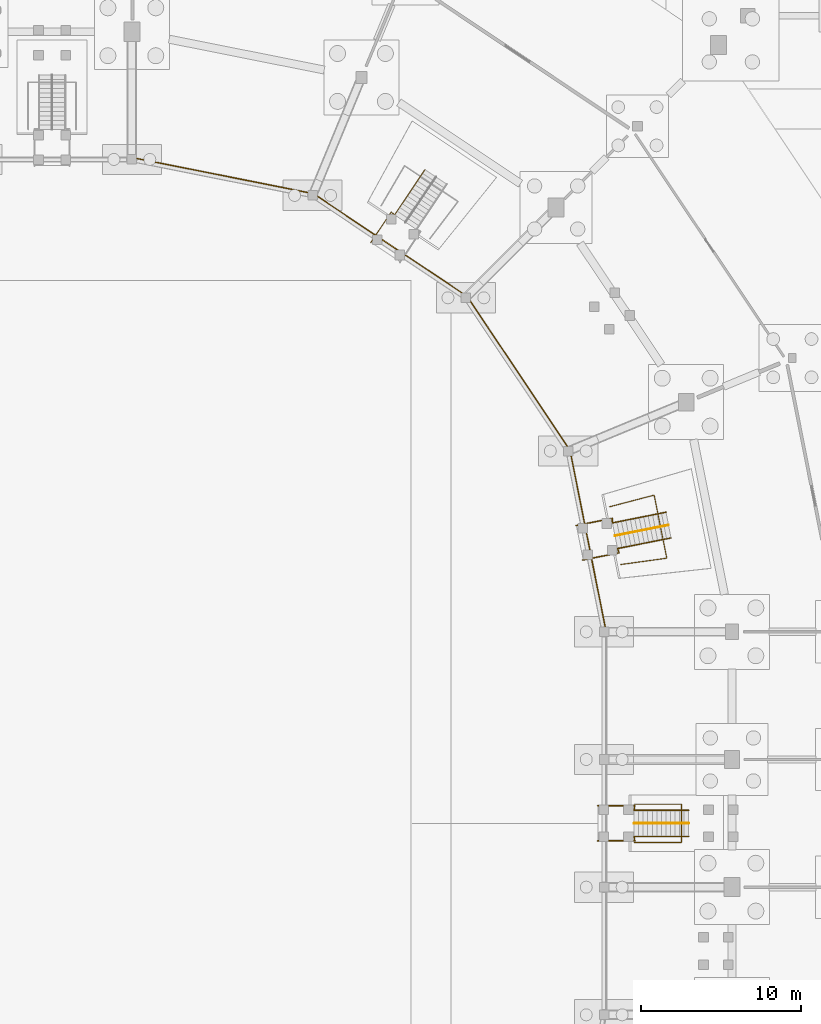
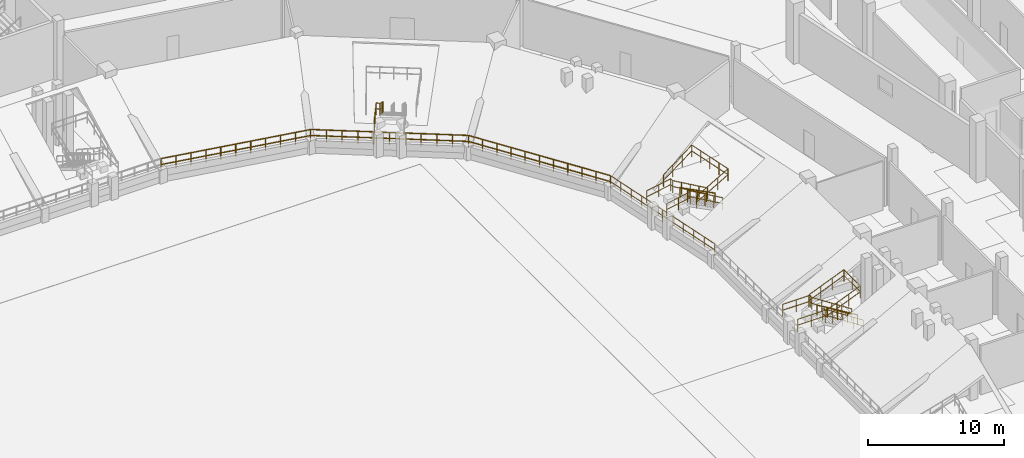
# One storey, part 59 of 68: 13 railings.
"""IFC4 building model written with IfcOpenShell, lengths in metres."""

from ifc_helpers import new_model, si_unit, direction, frame, origin, origin_2d, place, context, subcontext, project, spatial, circle, extrude, material, layer, layer_set, type_object, element, save


model = new_model("IFC4")

# Units and contexts
model_context = context("Model", 3, precision=1e-05, world=origin(), true_north=direction((0.0, 1.0)))
body_context = subcontext(model_context, "Body", "Model", "MODEL_VIEW")
ifc_project = project(units=[si_unit("LENGTHUNIT", "METRE"), si_unit("AREAUNIT", "SQUARE_METRE"), si_unit("VOLUMEUNIT", "CUBIC_METRE"), si_unit("PLANEANGLEUNIT", "RADIAN"), si_unit("MASSUNIT", "GRAM", prefix="KILO")], contexts=[model_context])

# Site, building, storey
site_placement = place(None, origin())
site = spatial("IfcSite", under=ifc_project, at=site_placement, CompositionType="ELEMENT")
building_placement = place(site_placement, origin())
building = spatial("IfcBuilding", under=site, at=building_placement, Name="Candeia Ridge Stadium", CompositionType="ELEMENT")
storey_placement = place(building_placement, origin())
storey = spatial("IfcBuildingStorey", under=building, at=storey_placement, Name="L00", CompositionType="ELEMENT", Elevation=0.0)

# Railings
ifc_material_1 = material(Name="Galvanized Powder-Coated Steel", Category="steel")
ifc_layer_1 = layer(ifc_material_1, 0.074951171875, Name="Galvanized Powder-Coated Steel", Category="steel")
ifc_layer_set_1 = layer_set([ifc_layer_1], Name="Galvanized Powder-Coated Steel")
railing_type_1 = type_object("IfcRailingType", Name="Spectator Bowl Front Guardrail 1120", PredefinedType="GUARDRAIL", material=ifc_layer_set_1)
railing_1_placement = place(storey_placement, frame((170.719970703125, 95.0, 0.85009765625)))
element("IfcRailing", 1, at=railing_1_placement, inside=storey, type_object=railing_type_1, Name="Stand T1 front safety guardrail bay 33", PredefinedType="GUARDRAIL", context=body_context, shape_type="SweptSolid", body=[
    extrude(circle(Radius=0.02392578125, at=origin_2d()), frame((0.0, 0.0, 1.09619140625), z_axis=(-0.19508358537, 0.980786620381, 0.0), x_axis=(-0.980786620381, -0.19508358537, 0.0)), (0.0, 0.0, 1.0), 11.59619140625),
    extrude(circle(Radius=0.02392578125, at=origin_2d()), frame((0.0, 0.0, 0.56005859375), z_axis=(-0.19508358537, 0.980786620381, 0.0), x_axis=(-0.980786620381, -0.19508358537, 0.0)), (0.0, 0.0, 1.0), 11.59619140625),
    extrude(circle(Radius=0.02099609375, at=origin_2d()), origin(), (0.0, 0.0, 1.0), 1.072021484375),
    extrude(circle(Radius=0.02099609375, at=origin_2d()), frame((-0.226318359375, 1.13720703125, 0.0)), (0.0, 0.0, 1.0), 1.072021484375),
    extrude(circle(Radius=0.02099609375, at=origin_2d()), frame((-0.452392578125, 2.274658203125, 0.0)), (0.0, 0.0, 1.0), 1.072021484375),
    extrude(circle(Radius=0.02099609375, at=origin_2d()), frame((-0.6787109375, 3.412109375, 0.0)), (0.0, 0.0, 1.0), 1.072021484375),
    extrude(circle(Radius=0.02099609375, at=origin_2d()), frame((-0.90478515625, 4.54931640625, 0.0)), (0.0, 0.0, 1.0), 1.072021484375),
    extrude(circle(Radius=0.02099609375, at=origin_2d()), frame((-1.131103515625, 5.6865234375, 0.0)), (0.0, 0.0, 1.0), 1.072021484375),
    extrude(circle(Radius=0.02099609375, at=origin_2d()), frame((-1.357421875, 6.823974609375, 0.0)), (0.0, 0.0, 1.0), 1.072021484375),
    extrude(circle(Radius=0.02099609375, at=origin_2d()), frame((-1.58349609375, 7.961181640625, 0.0)), (0.0, 0.0, 1.0), 1.072021484375),
    extrude(circle(Radius=0.02099609375, at=origin_2d()), frame((-1.809814453125, 9.0986328125, 0.0)), (0.0, 0.0, 1.0), 1.072021484375),
    extrude(circle(Radius=0.02099609375, at=origin_2d()), frame((-2.035888671875, 10.23583984375, 0.0)), (0.0, 0.0, 1.0), 1.072021484375),
    extrude(circle(Radius=0.02099609375, at=origin_2d()), frame((-2.26220703125, 11.373291015625, 0.0)), (0.0, 0.0, 1.0), 1.072021484375),
])
railing_2_placement = place(storey_placement, frame((168.457763671875, 106.373291015625, 0.85009765625)))
element("IfcRailing", 2, at=railing_2_placement, inside=storey, type_object=railing_type_1, Name="Stand T1 front safety guardrail bay 34", PredefinedType="GUARDRAIL", context=body_context, shape_type="SweptSolid", body=[
    extrude(circle(Radius=0.02392578125, at=origin_2d()), frame((0.0, 0.0, 1.09619140625), z_axis=(-0.555579272484, 0.831463572254, 0.0), x_axis=(-0.831463572254, -0.555579272484, 0.0)), (0.0, 0.0, 1.0), 11.59619140625),
    extrude(circle(Radius=0.02392578125, at=origin_2d()), frame((0.0, 0.0, 0.56005859375), z_axis=(-0.555579272484, 0.831463572254, 0.0), x_axis=(-0.831463572254, -0.555579272484, 0.0)), (0.0, 0.0, 1.0), 11.59619140625),
    extrude(circle(Radius=0.02099609375, at=origin_2d()), origin(), (0.0, 0.0, 1.0), 1.072021484375),
    extrude(circle(Radius=0.02099609375, at=origin_2d()), frame((-0.644287109375, 0.964111328125, 0.0)), (0.0, 0.0, 1.0), 1.072021484375),
    extrude(circle(Radius=0.02099609375, at=origin_2d()), frame((-1.28857421875, 1.928466796875, 0.0)), (0.0, 0.0, 1.0), 1.072021484375),
    extrude(circle(Radius=0.02099609375, at=origin_2d()), frame((-1.932861328125, 2.892578125, 0.0)), (0.0, 0.0, 1.0), 1.072021484375),
    extrude(circle(Radius=0.02099609375, at=origin_2d()), frame((-2.5771484375, 3.856689453125, 0.0)), (0.0, 0.0, 1.0), 1.072021484375),
    extrude(circle(Radius=0.02099609375, at=origin_2d()), frame((-3.22119140625, 4.82080078125, 0.0)), (0.0, 0.0, 1.0), 1.072021484375),
    extrude(circle(Radius=0.02099609375, at=origin_2d()), frame((-3.865478515625, 5.78515625, 0.0)), (0.0, 0.0, 1.0), 1.072021484375),
    extrude(circle(Radius=0.02099609375, at=origin_2d()), frame((-4.509765625, 6.749267578125, 0.0)), (0.0, 0.0, 1.0), 1.072021484375),
    extrude(circle(Radius=0.02099609375, at=origin_2d()), frame((-5.154052734375, 7.71337890625, 0.0)), (0.0, 0.0, 1.0), 1.072021484375),
    extrude(circle(Radius=0.02099609375, at=origin_2d()), frame((-5.79833984375, 8.677734375, 0.0)), (0.0, 0.0, 1.0), 1.072021484375),
    extrude(circle(Radius=0.02099609375, at=origin_2d()), frame((-6.442626953125, 9.641845703125, 0.0)), (0.0, 0.0, 1.0), 1.072021484375),
])
railing_3_placement = place(storey_placement, frame((162.01513671875, 116.01513671875, 0.85009765625)))
element("IfcRailing", 3, at=railing_3_placement, inside=storey, type_object=railing_type_1, Name="Stand T1 front safety guardrail bay 35", PredefinedType="GUARDRAIL", context=body_context, shape_type="SweptSolid", body=[
    extrude(circle(Radius=0.02392578125, at=origin_2d()), frame((0.0, 0.0, 1.09619140625), z_axis=(-0.831463572254, 0.555579272484, 0.0), x_axis=(-0.555579272484, -0.831463572254, 0.0)), (0.0, 0.0, 1.0), 11.59619140625),
    extrude(circle(Radius=0.02392578125, at=origin_2d()), frame((0.0, 0.0, 0.56005859375), z_axis=(-0.831463572254, 0.555579272484, 0.0), x_axis=(-0.555579272484, -0.831463572254, 0.0)), (0.0, 0.0, 1.0), 11.59619140625),
    extrude(circle(Radius=0.02099609375, at=origin_2d()), origin(), (0.0, 0.0, 1.0), 1.072021484375),
    extrude(circle(Radius=0.02099609375, at=origin_2d()), frame((-0.964111328125, 0.644287109375, 0.0)), (0.0, 0.0, 1.0), 1.072021484375),
    extrude(circle(Radius=0.02099609375, at=origin_2d()), frame((-1.928466796875, 1.28857421875, 0.0)), (0.0, 0.0, 1.0), 1.072021484375),
    extrude(circle(Radius=0.02099609375, at=origin_2d()), frame((-2.892578125, 1.932861328125, 0.0)), (0.0, 0.0, 1.0), 1.072021484375),
    extrude(circle(Radius=0.02099609375, at=origin_2d()), frame((-3.856689453125, 2.5771484375, 0.0)), (0.0, 0.0, 1.0), 1.072021484375),
    extrude(circle(Radius=0.02099609375, at=origin_2d()), frame((-4.82080078125, 3.22119140625, 0.0)), (0.0, 0.0, 1.0), 1.072021484375),
    extrude(circle(Radius=0.02099609375, at=origin_2d()), frame((-5.78515625, 3.865478515625, 0.0)), (0.0, 0.0, 1.0), 1.072021484375),
    extrude(circle(Radius=0.02099609375, at=origin_2d()), frame((-6.749267578125, 4.509765625, 0.0)), (0.0, 0.0, 1.0), 1.072021484375),
    extrude(circle(Radius=0.02099609375, at=origin_2d()), frame((-7.71337890625, 5.154052734375, 0.0)), (0.0, 0.0, 1.0), 1.072021484375),
    extrude(circle(Radius=0.02099609375, at=origin_2d()), frame((-8.677734375, 5.79833984375, 0.0)), (0.0, 0.0, 1.0), 1.072021484375),
    extrude(circle(Radius=0.02099609375, at=origin_2d()), frame((-9.641845703125, 6.442626953125, 0.0)), (0.0, 0.0, 1.0), 1.072021484375),
])
railing_4_placement = place(storey_placement, frame((152.373291015625, 122.457763671875, 0.85009765625)))
element("IfcRailing", 4, at=railing_4_placement, inside=storey, type_object=railing_type_1, Name="Stand T1 front safety guardrail bay 36", PredefinedType="GUARDRAIL", context=body_context, shape_type="SweptSolid", body=[
    extrude(circle(Radius=0.02392578125, at=origin_2d()), frame((0.0, 0.0, 1.09619140625), z_axis=(-0.980786620381, 0.19508358537, 0.0), x_axis=(-0.19508358537, -0.980786620381, 0.0)), (0.0, 0.0, 1.0), 11.59619140625),
    extrude(circle(Radius=0.02392578125, at=origin_2d()), frame((0.0, 0.0, 0.56005859375), z_axis=(-0.980786620381, 0.19508358537, 0.0), x_axis=(-0.19508358537, -0.980786620381, 0.0)), (0.0, 0.0, 1.0), 11.59619140625),
    extrude(circle(Radius=0.02099609375, at=origin_2d()), origin(), (0.0, 0.0, 1.0), 1.072021484375),
    extrude(circle(Radius=0.02099609375, at=origin_2d()), frame((-1.13720703125, 0.226318359375, 0.0)), (0.0, 0.0, 1.0), 1.072021484375),
    extrude(circle(Radius=0.02099609375, at=origin_2d()), frame((-2.274658203125, 0.452392578125, 0.0)), (0.0, 0.0, 1.0), 1.072021484375),
    extrude(circle(Radius=0.02099609375, at=origin_2d()), frame((-3.412109375, 0.6787109375, 0.0)), (0.0, 0.0, 1.0), 1.072021484375),
    extrude(circle(Radius=0.02099609375, at=origin_2d()), frame((-4.54931640625, 0.90478515625, 0.0)), (0.0, 0.0, 1.0), 1.072021484375),
    extrude(circle(Radius=0.02099609375, at=origin_2d()), frame((-5.6865234375, 1.131103515625, 0.0)), (0.0, 0.0, 1.0), 1.072021484375),
    extrude(circle(Radius=0.02099609375, at=origin_2d()), frame((-6.823974609375, 1.357421875, 0.0)), (0.0, 0.0, 1.0), 1.072021484375),
    extrude(circle(Radius=0.02099609375, at=origin_2d()), frame((-7.961181640625, 1.58349609375, 0.0)), (0.0, 0.0, 1.0), 1.072021484375),
    extrude(circle(Radius=0.02099609375, at=origin_2d()), frame((-9.0986328125, 1.809814453125, 0.0)), (0.0, 0.0, 1.0), 1.072021484375),
    extrude(circle(Radius=0.02099609375, at=origin_2d()), frame((-10.23583984375, 2.035888671875, 0.0)), (0.0, 0.0, 1.0), 1.072021484375),
    extrude(circle(Radius=0.02099609375, at=origin_2d()), frame((-11.373291015625, 2.26220703125, 0.0)), (0.0, 0.0, 1.0), 1.072021484375),
])
ifc_material_2 = material(Name="Brushed Stainless Steel", Category="steel")
ifc_layer_2 = layer(ifc_material_2, 0.048095703125, Name="Brushed Stainless Steel", Category="steel")
ifc_layer_set_2 = layer_set([ifc_layer_2], Name="Brushed Stainless Steel")
railing_type_2 = type_object("IfcRailingType", Name="Stair Wall & Flight Handrail 900", PredefinedType="HANDRAIL", material=ifc_layer_set_2)
railing_5_placement = place(storey_placement, frame((175.89208984375, 83.0, 0.17236328125)))
element("IfcRailing", 5, at=railing_5_placement, inside=storey, type_object=railing_type_2, Name="Vomitory stair handrail VS16", PredefinedType="HANDRAIL", context=body_context, shape_type="SweptSolid", body=[
    extrude(circle(Radius=0.02392578125, at=origin_2d()), frame((0.0, 0.0, 0.8759765625), z_axis=(-0.855774125036, 0.0, 0.517349637014), x_axis=(0.0, -1.0, 0.0)), (0.0, 0.0, 1.0), 3.99658203125),
    extrude(circle(Radius=0.02099609375, at=origin_2d()), origin(), (0.0, 0.0, 1.0), 0.851806640625),
    extrude(circle(Radius=0.02099609375, at=origin_2d()), frame((-0.85498046875, 0.0, 0.516845703125)), (0.0, 0.0, 1.0), 0.851806640625),
    extrude(circle(Radius=0.02099609375, at=origin_2d()), frame((-1.7099609375, 0.0, 1.03369140625)), (0.0, 0.0, 1.0), 0.851806640625),
    extrude(circle(Radius=0.02099609375, at=origin_2d()), frame((-2.565185546875, 0.0, 1.55078125)), (0.0, 0.0, 1.0), 0.851806640625),
    extrude(circle(Radius=0.02099609375, at=origin_2d()), frame((-3.420166015625, 0.0, 2.067626953125)), (0.0, 0.0, 1.0), 0.851806640625),
])
railing_6_placement = place(storey_placement, frame((174.62841796875, 101.689208984375, 0.17236328125)))
element("IfcRailing", 6, at=railing_6_placement, inside=storey, type_object=railing_type_2, Name="Vomitory stair handrail VS17", PredefinedType="HANDRAIL", context=body_context, shape_type="SweptSolid", body=[
    extrude(circle(Radius=0.02392578125, at=origin_2d()), frame((0.0, 0.0, 0.8759765625), z_axis=(-0.839316016978, -0.166959070849, 0.517371522511), x_axis=(0.195100140729, -0.980783327289, 0.0)), (0.0, 0.0, 1.0), 3.996337890625),
    extrude(circle(Radius=0.02099609375, at=origin_2d()), origin(), (0.0, 0.0, 1.0), 0.851806640625),
    extrude(circle(Radius=0.02099609375, at=origin_2d()), frame((-0.838623046875, -0.166748046875, 0.516845703125)), (0.0, 0.0, 1.0), 0.851806640625),
    extrude(circle(Radius=0.02099609375, at=origin_2d()), frame((-1.67724609375, -0.33349609375, 1.03369140625)), (0.0, 0.0, 1.0), 0.851806640625),
    extrude(circle(Radius=0.02099609375, at=origin_2d()), frame((-2.515625, -0.50048828125, 1.55078125)), (0.0, 0.0, 1.0), 0.851806640625),
    extrude(circle(Radius=0.02099609375, at=origin_2d()), frame((-3.354248046875, -0.667236328125, 2.067626953125)), (0.0, 0.0, 1.0), 0.851806640625),
])
ifc_layer_3 = layer(ifc_material_1, 0.070068359375, Name="Galvanized Powder-Coated Steel", Category="steel")
ifc_layer_set_3 = layer_set([ifc_layer_3], Name="Galvanized Powder-Coated Steel")
railing_type_3 = type_object("IfcRailingType", Name="Vomitory Portal Guardrail 1100", PredefinedType="GUARDRAIL", material=ifc_layer_set_3)
railing_7_placement = place(storey_placement, frame((172.471923828125, 81.800048828125, 2.239990234375)))
element("IfcRailing", 7, at=railing_7_placement, inside=storey, type_object=railing_type_3, Name="Vomitory portal guardrail VS16", PredefinedType="GUARDRAIL", context=body_context, shape_type="SweptSolid", body=[
    extrude(circle(Radius=0.02392578125, at=origin_2d()), frame((0.0, 0.0, 1.076171875), z_axis=(0.92538053309, 0.0, 0.379039402937), x_axis=(0.0, 1.0, 0.0)), (0.0, 0.0, 1.0), 3.203125),
    extrude(circle(Radius=0.02392578125, at=origin_2d()), frame((0.0, 0.0, 0.550048828125), z_axis=(0.92538053309, 0.0, 0.379039402937), x_axis=(0.0, 1.0, 0.0)), (0.0, 0.0, 1.0), 3.203125),
    extrude(circle(Radius=0.02392578125, at=origin_2d()), frame((2.964111328125, 0.0, 2.2900390625), z_axis=(0.0, 1.0, 0.0), x_axis=(-1.0, 0.0, 0.0)), (0.0, 0.0, 1.0), 2.39990234375),
    extrude(circle(Radius=0.02392578125, at=origin_2d()), frame((2.964111328125, 0.0, 1.76416015625), z_axis=(0.0, 1.0, 0.0), x_axis=(-1.0, 0.0, 0.0)), (0.0, 0.0, 1.0), 2.39990234375),
    extrude(circle(Radius=0.02392578125, at=origin_2d()), frame((2.964111328125, 2.39990234375, 2.2900390625), z_axis=(-0.92538053309, 0.0, -0.379039402937), x_axis=(0.0, -1.0, 0.0)), (0.0, 0.0, 1.0), 3.203125),
    extrude(circle(Radius=0.02392578125, at=origin_2d()), frame((2.964111328125, 2.39990234375, 1.76416015625), z_axis=(-0.92538053309, 0.0, -0.379039402937), x_axis=(0.0, -1.0, 0.0)), (0.0, 0.0, 1.0), 3.203125),
    extrude(circle(Radius=0.02099609375, at=origin_2d()), origin(), (0.0, 0.0, 1.0), 1.052001953125),
    extrude(circle(Radius=0.02099609375, at=origin_2d()), frame((0.988037109375, 0.0, 0.40478515625)), (0.0, 0.0, 1.0), 1.052001953125),
    extrude(circle(Radius=0.02099609375, at=origin_2d()), frame((1.97607421875, 0.0, 0.809326171875)), (0.0, 0.0, 1.0), 1.052001953125),
    extrude(circle(Radius=0.02099609375, at=origin_2d()), frame((2.964111328125, 0.0, 1.214111328125)), (0.0, 0.0, 1.0), 1.052001953125),
    extrude(circle(Radius=0.02099609375, at=origin_2d()), frame((2.964111328125, 1.199951171875, 1.214111328125)), (0.0, 0.0, 1.0), 1.052001953125),
    extrude(circle(Radius=0.02099609375, at=origin_2d()), frame((2.964111328125, 2.39990234375, 1.214111328125)), (0.0, 0.0, 1.0), 1.052001953125),
    extrude(circle(Radius=0.02099609375, at=origin_2d()), frame((1.97607421875, 2.39990234375, 0.809326171875)), (0.0, 0.0, 1.0), 1.052001953125),
    extrude(circle(Radius=0.02099609375, at=origin_2d()), frame((0.988037109375, 2.39990234375, 0.40478515625)), (0.0, 0.0, 1.0), 1.052001953125),
    extrude(circle(Radius=0.02099609375, at=origin_2d()), frame((0.0, 2.39990234375, 0.0)), (0.0, 0.0, 1.0), 1.052001953125),
])
railing_8_placement = place(storey_placement, frame((175.89208984375, 82.179931640625, 0.0)))
element("IfcRailing", 8, at=railing_8_placement, inside=storey, type_object=railing_type_3, Name="Vomitory stair & landing side guardrail VS16-L", PredefinedType="GUARDRAIL", context=body_context, shape_type="SweptSolid", body=[
    extrude(circle(Radius=0.02392578125, at=origin_2d()), frame((0.0, 0.0, 1.076171875), z_axis=(-0.836551734384, 0.0, 0.547887940822), x_axis=(0.0, -1.0, 0.0)), (0.0, 0.0, 1.0), 4.08837890625),
    extrude(circle(Radius=0.02392578125, at=origin_2d()), frame((0.0, 0.0, 0.550048828125), z_axis=(-0.836551734384, 0.0, 0.547887940822), x_axis=(0.0, -1.0, 0.0)), (0.0, 0.0, 1.0), 4.08837890625),
    extrude(circle(Radius=0.02392578125, at=origin_2d()), frame((-3.420166015625, 0.0, 3.31591796875), z_axis=(0.141542183877, -0.989932225045, 0.0), x_axis=(0.989932225045, 0.141542183877, 0.0)), (0.0, 0.0, 1.0), 0.282958984375),
    extrude(circle(Radius=0.02392578125, at=origin_2d()), frame((-3.420166015625, 0.0, 2.7900390625), z_axis=(0.141542183877, -0.989932225045, 0.0), x_axis=(0.989932225045, 0.141542183877, 0.0)), (0.0, 0.0, 1.0), 0.282958984375),
    extrude(circle(Radius=0.02392578125, at=origin_2d()), frame((-3.380126953125, -0.280029296875, 3.31591796875), z_axis=(-1.0, 0.0, 0.0), x_axis=(0.0, -1.0, 0.0)), (0.0, 0.0, 1.0), 2.320068359375),
    extrude(circle(Radius=0.02392578125, at=origin_2d()), frame((-3.380126953125, -0.280029296875, 2.7900390625), z_axis=(-1.0, 0.0, 0.0), x_axis=(0.0, -1.0, 0.0)), (0.0, 0.0, 1.0), 2.320068359375),
    extrude(circle(Radius=0.02099609375, at=origin_2d()), origin(), (0.0, 0.0, 1.0), 1.052001953125),
    extrude(circle(Radius=0.02099609375, at=origin_2d()), frame((-0.85498046875, 0.0, 0.56005859375)), (0.0, 0.0, 1.0), 1.052001953125),
    extrude(circle(Radius=0.02099609375, at=origin_2d()), frame((-1.7099609375, 0.0, 1.1201171875)), (0.0, 0.0, 1.0), 1.052001953125),
    extrude(circle(Radius=0.02099609375, at=origin_2d()), frame((-2.565185546875, 0.0, 1.679931640625)), (0.0, 0.0, 1.0), 1.052001953125),
    extrude(circle(Radius=0.02099609375, at=origin_2d()), frame((-3.420166015625, 0.0, 2.239990234375)), (0.0, 0.0, 1.0), 1.052001953125),
    extrude(circle(Radius=0.02099609375, at=origin_2d()), frame((-3.380126953125, -0.280029296875, 2.239990234375)), (0.0, 0.0, 1.0), 1.052001953125),
    extrude(circle(Radius=0.02099609375, at=origin_2d()), frame((-4.5400390625, -0.280029296875, 2.239990234375)), (0.0, 0.0, 1.0), 1.052001953125),
    extrude(circle(Radius=0.02099609375, at=origin_2d()), frame((-5.7001953125, -0.280029296875, 2.239990234375)), (0.0, 0.0, 1.0), 1.052001953125),
])
railing_9_placement = place(storey_placement, frame((175.89208984375, 83.820068359375, 0.0)))
element("IfcRailing", 9, at=railing_9_placement, inside=storey, type_object=railing_type_3, Name="Vomitory stair & landing side guardrail VS16-R", PredefinedType="GUARDRAIL", context=body_context, shape_type="SweptSolid", body=[
    extrude(circle(Radius=0.02392578125, at=origin_2d()), frame((0.0, 0.0, 1.076171875), z_axis=(-0.836551734384, 0.0, 0.547887940822), x_axis=(0.0, -1.0, 0.0)), (0.0, 0.0, 1.0), 4.08837890625),
    extrude(circle(Radius=0.02392578125, at=origin_2d()), frame((0.0, 0.0, 0.550048828125), z_axis=(-0.836551734384, 0.0, 0.547887940822), x_axis=(0.0, -1.0, 0.0)), (0.0, 0.0, 1.0), 4.08837890625),
    extrude(circle(Radius=0.02392578125, at=origin_2d()), frame((-3.420166015625, 0.0, 3.31591796875), z_axis=(0.141542183877, 0.989932225045, 0.0), x_axis=(-0.989932225045, 0.141542183877, 0.0)), (0.0, 0.0, 1.0), 0.282958984375),
    extrude(circle(Radius=0.02392578125, at=origin_2d()), frame((-3.420166015625, 0.0, 2.7900390625), z_axis=(0.141542183877, 0.989932225045, 0.0), x_axis=(-0.989932225045, 0.141542183877, 0.0)), (0.0, 0.0, 1.0), 0.282958984375),
    extrude(circle(Radius=0.02392578125, at=origin_2d()), frame((-3.380126953125, 0.280029296875, 3.31591796875), z_axis=(-1.0, 0.0, 0.0), x_axis=(0.0, -1.0, 0.0)), (0.0, 0.0, 1.0), 2.320068359375),
    extrude(circle(Radius=0.02392578125, at=origin_2d()), frame((-3.380126953125, 0.280029296875, 2.7900390625), z_axis=(-1.0, 0.0, 0.0), x_axis=(0.0, -1.0, 0.0)), (0.0, 0.0, 1.0), 2.320068359375),
    extrude(circle(Radius=0.02099609375, at=origin_2d()), origin(), (0.0, 0.0, 1.0), 1.052001953125),
    extrude(circle(Radius=0.02099609375, at=origin_2d()), frame((-0.85498046875, 0.0, 0.56005859375)), (0.0, 0.0, 1.0), 1.052001953125),
    extrude(circle(Radius=0.02099609375, at=origin_2d()), frame((-1.7099609375, 0.0, 1.1201171875)), (0.0, 0.0, 1.0), 1.052001953125),
    extrude(circle(Radius=0.02099609375, at=origin_2d()), frame((-2.565185546875, 0.0, 1.679931640625)), (0.0, 0.0, 1.0), 1.052001953125),
    extrude(circle(Radius=0.02099609375, at=origin_2d()), frame((-3.420166015625, 0.0, 2.239990234375)), (0.0, 0.0, 1.0), 1.052001953125),
    extrude(circle(Radius=0.02099609375, at=origin_2d()), frame((-3.380126953125, 0.280029296875, 2.239990234375)), (0.0, 0.0, 1.0), 1.052001953125),
    extrude(circle(Radius=0.02099609375, at=origin_2d()), frame((-4.5400390625, 0.280029296875, 2.239990234375)), (0.0, 0.0, 1.0), 1.052001953125),
    extrude(circle(Radius=0.02099609375, at=origin_2d()), frame((-5.7001953125, 0.280029296875, 2.239990234375)), (0.0, 0.0, 1.0), 1.052001953125),
])
railing_10_placement = place(storey_placement, frame((171.633544921875, 99.21533203125, 2.239990234375)))
element("IfcRailing", 10, at=railing_10_placement, inside=storey, type_object=railing_type_3, Name="Vomitory portal guardrail VS17", PredefinedType="GUARDRAIL", context=body_context, shape_type="SweptSolid", body=[
    extrude(circle(Radius=0.02392578125, at=origin_2d()), frame((0.0, 0.0, 1.076171875), z_axis=(0.914382854834, 0.125817595156, 0.384803751975), x_axis=(-0.136313988444, 0.990665683545, 0.0)), (0.0, 0.0, 1.0), 3.155029296875),
    extrude(circle(Radius=0.02392578125, at=origin_2d()), frame((0.0, 0.0, 0.550048828125), z_axis=(0.914382854834, 0.125817595156, 0.384803751975), x_axis=(-0.136313988444, 0.990665683545, 0.0)), (0.0, 0.0, 1.0), 3.155029296875),
    extrude(circle(Radius=0.02392578125, at=origin_2d()), frame((2.885009765625, 0.39697265625, 2.2900390625), z_axis=(-0.195079434576, 0.980787445987, 0.0), x_axis=(-0.980787445987, -0.195079434576, 0.0)), (0.0, 0.0, 1.0), 4.031005859375),
    extrude(circle(Radius=0.02392578125, at=origin_2d()), frame((2.885009765625, 0.39697265625, 1.76416015625), z_axis=(-0.195079434576, 0.980787445987, 0.0), x_axis=(-0.980787445987, -0.195079434576, 0.0)), (0.0, 0.0, 1.0), 4.031005859375),
    extrude(circle(Radius=0.02392578125, at=origin_2d()), frame((2.0986328125, 4.3505859375, 2.2900390625), z_axis=(-0.892931247638, -0.23367871472, -0.384796108709), x_axis=(0.253172599664, -0.96742112587, 0.0)), (0.0, 0.0, 1.0), 3.1552734375),
    extrude(circle(Radius=0.02392578125, at=origin_2d()), frame((2.0986328125, 4.3505859375, 1.76416015625), z_axis=(-0.892931247638, -0.23367871472, -0.384796108709), x_axis=(0.253172599664, -0.96742112587, 0.0)), (0.0, 0.0, 1.0), 3.1552734375),
    extrude(circle(Radius=0.02099609375, at=origin_2d()), origin(), (0.0, 0.0, 1.0), 1.052001953125),
    extrude(circle(Radius=0.02099609375, at=origin_2d()), frame((0.961669921875, 0.13232421875, 0.40478515625)), (0.0, 0.0, 1.0), 1.052001953125),
    extrude(circle(Radius=0.02099609375, at=origin_2d()), frame((1.92333984375, 0.2646484375, 0.809326171875)), (0.0, 0.0, 1.0), 1.052001953125),
    extrude(circle(Radius=0.02099609375, at=origin_2d()), frame((2.885009765625, 0.39697265625, 1.214111328125)), (0.0, 0.0, 1.0), 1.052001953125),
    extrude(circle(Radius=0.02099609375, at=origin_2d()), frame((2.6884765625, 1.38525390625, 1.214111328125)), (0.0, 0.0, 1.0), 1.052001953125),
    extrude(circle(Radius=0.02099609375, at=origin_2d()), frame((2.49169921875, 2.373779296875, 1.214111328125)), (0.0, 0.0, 1.0), 1.052001953125),
    extrude(circle(Radius=0.02099609375, at=origin_2d()), frame((2.295166015625, 3.3623046875, 1.214111328125)), (0.0, 0.0, 1.0), 1.052001953125),
    extrude(circle(Radius=0.02099609375, at=origin_2d()), frame((2.0986328125, 4.3505859375, 1.214111328125)), (0.0, 0.0, 1.0), 1.052001953125),
    extrude(circle(Radius=0.02099609375, at=origin_2d()), frame((1.159423828125, 4.104736328125, 0.809326171875)), (0.0, 0.0, 1.0), 1.052001953125),
    extrude(circle(Radius=0.02099609375, at=origin_2d()), frame((0.220458984375, 3.859130859375, 0.40478515625)), (0.0, 0.0, 1.0), 1.052001953125),
    extrude(circle(Radius=0.02099609375, at=origin_2d()), frame((-0.71875, 3.61328125, 0.0)), (0.0, 0.0, 1.0), 1.052001953125),
])
railing_11_placement = place(storey_placement, frame((174.788330078125, 100.885009765625, 0.0)))
element("IfcRailing", 11, at=railing_11_placement, inside=storey, type_object=railing_type_3, Name="Vomitory stair & landing side guardrail VS17-L", PredefinedType="GUARDRAIL", context=body_context, shape_type="SweptSolid", body=[
    extrude(circle(Radius=0.02392578125, at=origin_2d()), frame((0.0, 0.0, 1.076171875), z_axis=(-0.820461766456, -0.163208531023, 0.547910088597), x_axis=(0.195100140729, -0.980783327289, 0.0)), (0.0, 0.0, 1.0), 4.088134765625),
    extrude(circle(Radius=0.02392578125, at=origin_2d()), frame((0.0, 0.0, 0.550048828125), z_axis=(-0.820461766456, -0.163208531023, 0.547910088597), x_axis=(0.195100140729, -0.980783327289, 0.0)), (0.0, 0.0, 1.0), 4.088134765625),
    extrude(circle(Radius=0.02392578125, at=origin_2d()), frame((-3.354248046875, -0.667236328125, 3.31591796875), z_axis=(0.331963044739, -0.943292392065, 0.0), x_axis=(0.943292392065, 0.331963044739, 0.0)), (0.0, 0.0, 1.0), 0.283203125),
    extrude(circle(Radius=0.02392578125, at=origin_2d()), frame((-3.354248046875, -0.667236328125, 2.7900390625), z_axis=(0.331963044739, -0.943292392065, 0.0), x_axis=(0.943292392065, 0.331963044739, 0.0)), (0.0, 0.0, 1.0), 0.283203125),
    extrude(circle(Radius=0.02392578125, at=origin_2d()), frame((-3.26025390625, -0.934326171875, 3.31591796875), z_axis=(-0.980802659281, -0.195002932151, 0.0), x_axis=(0.195002932151, -0.980802659281, 0.0)), (0.0, 0.0, 1.0), 2.31982421875),
    extrude(circle(Radius=0.02392578125, at=origin_2d()), frame((-3.26025390625, -0.934326171875, 2.7900390625), z_axis=(-0.980802659281, -0.195002932151, 0.0), x_axis=(0.195002932151, -0.980802659281, 0.0)), (0.0, 0.0, 1.0), 2.31982421875),
    extrude(circle(Radius=0.02099609375, at=origin_2d()), origin(), (0.0, 0.0, 1.0), 1.052001953125),
    extrude(circle(Radius=0.02099609375, at=origin_2d()), frame((-0.838623046875, -0.166748046875, 0.56005859375)), (0.0, 0.0, 1.0), 1.052001953125),
    extrude(circle(Radius=0.02099609375, at=origin_2d()), frame((-1.67724609375, -0.33349609375, 1.1201171875)), (0.0, 0.0, 1.0), 1.052001953125),
    extrude(circle(Radius=0.02099609375, at=origin_2d()), frame((-2.515625, -0.50048828125, 1.679931640625)), (0.0, 0.0, 1.0), 1.052001953125),
    extrude(circle(Radius=0.02099609375, at=origin_2d()), frame((-3.354248046875, -0.667236328125, 2.239990234375)), (0.0, 0.0, 1.0), 1.052001953125),
    extrude(circle(Radius=0.02099609375, at=origin_2d()), frame((-3.26025390625, -0.934326171875, 2.239990234375)), (0.0, 0.0, 1.0), 1.052001953125),
    extrude(circle(Radius=0.02099609375, at=origin_2d()), frame((-4.39794921875, -1.16064453125, 2.239990234375)), (0.0, 0.0, 1.0), 1.052001953125),
    extrude(circle(Radius=0.02099609375, at=origin_2d()), frame((-5.53564453125, -1.38671875, 2.239990234375)), (0.0, 0.0, 1.0), 1.052001953125),
])
railing_12_placement = place(storey_placement, frame((174.468505859375, 102.493408203125, 0.0)))
element("IfcRailing", 12, at=railing_12_placement, inside=storey, type_object=railing_type_3, Name="Vomitory stair & landing side guardrail VS17-R", PredefinedType="GUARDRAIL", context=body_context, shape_type="SweptSolid", body=[
    extrude(circle(Radius=0.02392578125, at=origin_2d()), frame((0.0, 0.0, 1.076171875), z_axis=(-0.820461766456, -0.163208531023, 0.547910088597), x_axis=(0.195100140729, -0.980783327289, 0.0)), (0.0, 0.0, 1.0), 4.088134765625),
    extrude(circle(Radius=0.02392578125, at=origin_2d()), frame((0.0, 0.0, 0.550048828125), z_axis=(-0.820461766456, -0.163208531023, 0.547910088597), x_axis=(0.195100140729, -0.980783327289, 0.0)), (0.0, 0.0, 1.0), 4.088134765625),
    extrude(circle(Radius=0.02392578125, at=origin_2d()), frame((-3.354248046875, -0.667236328125, 3.31591796875), z_axis=(-0.054370623932, 0.998520823645, 0.0), x_axis=(-0.998520823645, -0.054370623932, 0.0)), (0.0, 0.0, 1.0), 0.282958984375),
    extrude(circle(Radius=0.02392578125, at=origin_2d()), frame((-3.354248046875, -0.667236328125, 2.7900390625), z_axis=(-0.054370623932, 0.998520823645, 0.0), x_axis=(-0.998520823645, -0.054370623932, 0.0)), (0.0, 0.0, 1.0), 0.282958984375),
    extrude(circle(Radius=0.02392578125, at=origin_2d()), frame((-3.36962890625, -0.384765625, 3.31591796875), z_axis=(-0.980782527032, -0.195104163639, 0.0), x_axis=(0.195104163639, -0.980782527032, 0.0)), (0.0, 0.0, 1.0), 2.320068359375),
    extrude(circle(Radius=0.02392578125, at=origin_2d()), frame((-3.36962890625, -0.384765625, 2.7900390625), z_axis=(-0.980782527032, -0.195104163639, 0.0), x_axis=(0.195104163639, -0.980782527032, 0.0)), (0.0, 0.0, 1.0), 2.320068359375),
    extrude(circle(Radius=0.02099609375, at=origin_2d()), origin(), (0.0, 0.0, 1.0), 1.052001953125),
    extrude(circle(Radius=0.02099609375, at=origin_2d()), frame((-0.838623046875, -0.166748046875, 0.56005859375)), (0.0, 0.0, 1.0), 1.052001953125),
    extrude(circle(Radius=0.02099609375, at=origin_2d()), frame((-1.67724609375, -0.33349609375, 1.1201171875)), (0.0, 0.0, 1.0), 1.052001953125),
    extrude(circle(Radius=0.02099609375, at=origin_2d()), frame((-2.515625, -0.50048828125, 1.679931640625)), (0.0, 0.0, 1.0), 1.052001953125),
    extrude(circle(Radius=0.02099609375, at=origin_2d()), frame((-3.354248046875, -0.667236328125, 2.239990234375)), (0.0, 0.0, 1.0), 1.052001953125),
    extrude(circle(Radius=0.02099609375, at=origin_2d()), frame((-3.36962890625, -0.384765625, 2.239990234375)), (0.0, 0.0, 1.0), 1.052001953125),
    extrude(circle(Radius=0.02099609375, at=origin_2d()), frame((-4.50732421875, -0.611083984375, 2.239990234375)), (0.0, 0.0, 1.0), 1.052001953125),
    extrude(circle(Radius=0.02099609375, at=origin_2d()), frame((-5.64501953125, -0.83740234375, 2.239990234375)), (0.0, 0.0, 1.0), 1.052001953125),
])
railing_13_placement = place(storey_placement, frame((159.3671875, 123.96435546875, 0.0)))
element("IfcRailing", 13, at=railing_13_placement, inside=storey, type_object=railing_type_3, Name="Vomitory stair & landing side guardrail VS18-R", PredefinedType="GUARDRAIL", context=body_context, shape_type="SweptSolid", body=[
    extrude(circle(Radius=0.02392578125, at=origin_2d()), frame((0.0, 0.0, 1.076171875), z_axis=(-0.464784440041, -0.695534417725, 0.547911761194), x_axis=(0.831445756164, -0.555605934595, 0.0)), (0.0, 0.0, 1.0), 4.088134765625),
    extrude(circle(Radius=0.02392578125, at=origin_2d()), frame((0.0, 0.0, 0.550048828125), z_axis=(-0.464784440041, -0.695534417725, 0.547911761194), x_axis=(0.831445756164, -0.555605934595, 0.0)), (0.0, 0.0, 1.0), 4.088134765625),
    extrude(circle(Radius=0.02392578125, at=origin_2d()), frame((-1.900146484375, -2.843505859375, 3.31591796875), z_axis=(-0.744495422298, 0.667627565471, 0.0), x_axis=(-0.667627565471, -0.744495422298, 0.0)), (0.0, 0.0, 1.0), 0.28271484375),
    extrude(circle(Radius=0.02392578125, at=origin_2d()), frame((-1.900146484375, -2.843505859375, 2.7900390625), z_axis=(-0.744495422298, 0.667627565471, 0.0), x_axis=(-0.667627565471, -0.744495422298, 0.0)), (0.0, 0.0, 1.0), 0.28271484375),
    extrude(circle(Radius=0.02392578125, at=origin_2d()), frame((-2.110595703125, -2.65478515625, 3.31591796875), z_axis=(-0.55562265494, -0.831434582705, 0.0), x_axis=(0.831434582705, -0.55562265494, 0.0)), (0.0, 0.0, 1.0), 2.320068359375),
    extrude(circle(Radius=0.02392578125, at=origin_2d()), frame((-2.110595703125, -2.65478515625, 2.7900390625), z_axis=(-0.55562265494, -0.831434582705, 0.0), x_axis=(0.831434582705, -0.55562265494, 0.0)), (0.0, 0.0, 1.0), 2.320068359375),
    extrude(circle(Radius=0.02099609375, at=origin_2d()), origin(), (0.0, 0.0, 1.0), 1.052001953125),
    extrude(circle(Radius=0.02099609375, at=origin_2d()), frame((-0.47509765625, -0.7109375, 0.56005859375)), (0.0, 0.0, 1.0), 1.052001953125),
    extrude(circle(Radius=0.02099609375, at=origin_2d()), frame((-0.9501953125, -1.421875, 1.1201171875)), (0.0, 0.0, 1.0), 1.052001953125),
    extrude(circle(Radius=0.02099609375, at=origin_2d()), frame((-1.425048828125, -2.132568359375, 1.679931640625)), (0.0, 0.0, 1.0), 1.052001953125),
    extrude(circle(Radius=0.02099609375, at=origin_2d()), frame((-1.900146484375, -2.843505859375, 2.239990234375)), (0.0, 0.0, 1.0), 1.052001953125),
    extrude(circle(Radius=0.02099609375, at=origin_2d()), frame((-2.110595703125, -2.65478515625, 2.239990234375)), (0.0, 0.0, 1.0), 1.052001953125),
    extrude(circle(Radius=0.02099609375, at=origin_2d()), frame((-2.755126953125, -3.619140625, 2.239990234375)), (0.0, 0.0, 1.0), 1.052001953125),
    extrude(circle(Radius=0.02099609375, at=origin_2d()), frame((-3.399658203125, -4.583740234375, 2.239990234375)), (0.0, 0.0, 1.0), 1.052001953125),
])

save(model, "model.ifc")
